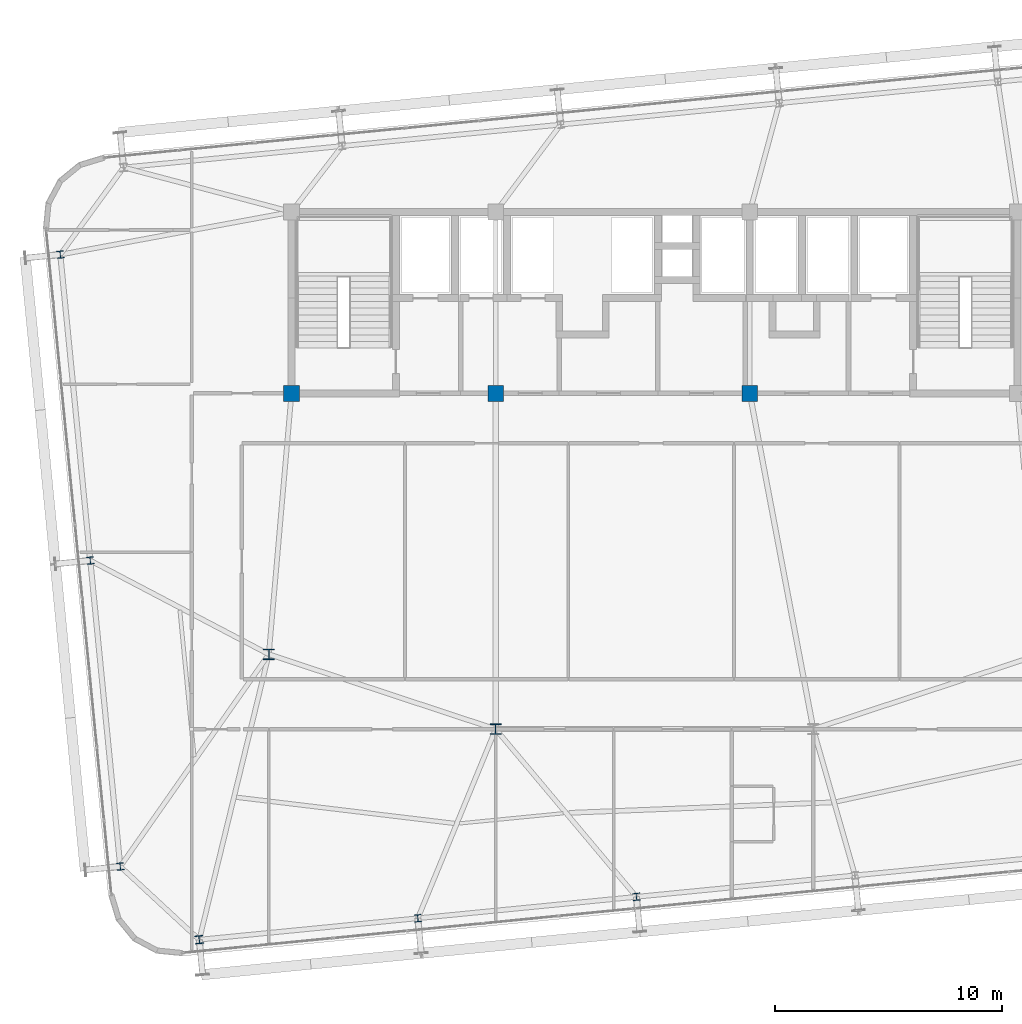
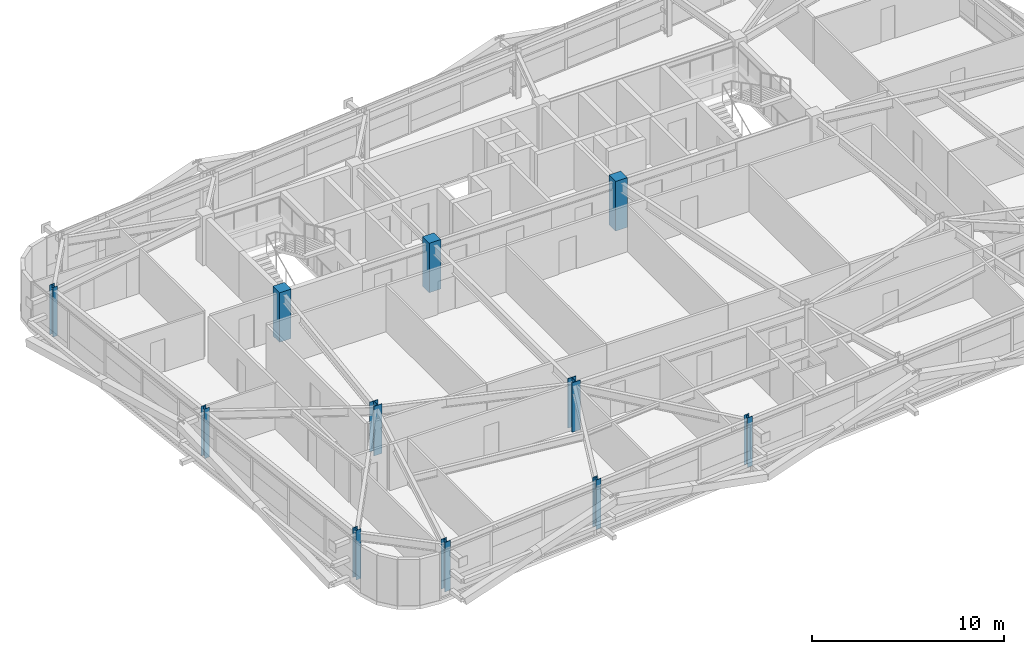
# One storey, part 1 of 52: 11 columns.
"""IFC4 building model written with IfcOpenShell, lengths in metres."""

import ifcopenshell
import ifcopenshell.guid

model = None  # the IFC model being written
_history = None  # IfcOwnerHistory: only IFC2X3 demands one
_inside = {}  # id of a spatial element -> (the spatial element, [elements in it])
_under = {}  # id of a project, library or spatial element -> (it, [spatial elements below it])
_declared = {}  # id of a project -> (the project, [libraries it declares])
_typed = {}  # id of a type object -> (the type object, [elements of that type])
_made_of = {}  # id of a material, layer set ... -> (it, [elements and type objects made of it])


def new_model(schema):
    """Start an empty IFC model of exactly this schema.

    Asked for "IFC4X3", IfcOpenShell would pick the latest addendum, in which some entities
    have other attributes; the version numbers below select the first issue.
    IFC2X3 requires an IfcOwnerHistory on every rooted entity: one is made here for all.
    """
    global model, _history
    if schema == "IFC4X3":
        model = ifcopenshell.file(schema_version=(4, 3, 0, 0))
    else:
        model = ifcopenshell.file(schema=schema)
    _inside.clear()
    _under.clear()
    _declared.clear()
    _typed.clear()
    _made_of.clear()
    _history = None
    if model.schema == "IFC2X3":
        org = make("IfcOrganization", Name="unknown")
        user = make(
            "IfcPersonAndOrganization",
            ThePerson=make("IfcPerson", FamilyName="unknown"),
            TheOrganization=org,
        )
        app = make(
            "IfcApplication",
            ApplicationDeveloper=org,
            Version="unknown",
            ApplicationFullName="unknown",
            ApplicationIdentifier="unknown",
        )
        _history = make(
            "IfcOwnerHistory",
            OwningUser=user,
            OwningApplication=app,
            ChangeAction="ADDED",
            CreationDate=0,
        )
    return model


def make(cls, **values):
    """One entity of the class cls with the attributes given. An attribute that is None is left unset."""
    return model.create_entity(
        cls, **{name: value for name, value in values.items() if value is not None}
    )


def rooted(cls, **values):
    """An entity with a GlobalId (a new one), such as an element, a storey or a relation."""
    return make(cls, GlobalId=ifcopenshell.guid.new(), OwnerHistory=_history, **values)


def si_unit(unit_type, name, prefix=None):
    """IfcSIUnit, for example si_unit("LENGTHUNIT", "METRE", prefix="MILLI")."""
    return make("IfcSIUnit", UnitType=unit_type, Prefix=prefix, Name=name)


def assignment(units):
    """IfcUnitAssignment: the units of a project."""
    return None if units is None else make("IfcUnitAssignment", Units=units)


def point(xyz):
    """IfcCartesianPoint."""
    return None if xyz is None else make("IfcCartesianPoint", Coordinates=xyz)


def direction(xyz):
    """IfcDirection."""
    return None if xyz is None else make("IfcDirection", DirectionRatios=xyz)


def frame(location, z_axis=None, x_axis=None):
    """IfcAxis2Placement3D, a coordinate frame: its origin and axes. An axis left out is left unset."""
    return make(
        "IfcAxis2Placement3D",
        Location=point(location),
        Axis=direction(z_axis),
        RefDirection=direction(x_axis),
    )


def frame_2d(location, x_axis=None):
    """IfcAxis2Placement2D, a coordinate frame in the plane: its origin and x axis."""
    return make(
        "IfcAxis2Placement2D", Location=point(location), RefDirection=direction(x_axis)
    )


def origin():
    """The frame at (0, 0, 0) with its axes left unset."""
    return frame((0.0, 0.0, 0.0))


def origin_2d():
    """The frame at (0, 0) in the plane with its x axis left unset."""
    return frame_2d((0.0, 0.0))


def place(relative_to, where):
    """IfcLocalPlacement: puts the frame where relative to a parent placement (None: the world)."""
    return make(
        "IfcLocalPlacement", PlacementRelTo=relative_to, RelativePlacement=where
    )


def context(
    kind, dimensions, precision=None, world=None, true_north=None, identifier=None
):
    """IfcGeometricRepresentationContext, for example the 3D "Model" context."""
    return make(
        "IfcGeometricRepresentationContext",
        ContextIdentifier=identifier,
        ContextType=kind,
        CoordinateSpaceDimension=dimensions,
        Precision=precision,
        WorldCoordinateSystem=world,
        TrueNorth=true_north,
    )


def subcontext(parent, identifier, kind, view, scale=None):
    """IfcGeometricRepresentationSubContext, for example "Body" below "Model"."""
    return make(
        "IfcGeometricRepresentationSubContext",
        ContextIdentifier=identifier,
        ContextType=kind,
        ParentContext=parent,
        TargetScale=scale,
        TargetView=view,
    )


def project(units=None, contexts=None):
    """IfcProject with its units and contexts."""
    return rooted(
        "IfcProject",
        Name="project",
        RepresentationContexts=contexts,
        UnitsInContext=assignment(units),
    )


def spatial(cls, under=None, at=None, **own):
    """A site, building, storey or space (cls), placed at a placement, below another one or the project."""
    s = rooted(cls, ObjectPlacement=at, **own)
    if under is not None:
        _under.setdefault(under.id(), (under, []))[1].append(s)
    return s


def profile(cls, at=None, kind="AREA", **sizes):
    """A parametric profile (cls). Its sizes go by their IFC names, for example OverallWidth=200.0."""
    return make(cls, ProfileType=kind, Position=at, **sizes)


def rectangle(**sizes):
    """IfcRectangleProfileDef."""
    return profile("IfcRectangleProfileDef", **sizes)


def i_section(**sizes):
    """IfcIShapeProfileDef."""
    return profile("IfcIShapeProfileDef", **sizes)


def extrude(swept, where, along, depth):
    """IfcExtrudedAreaSolid: the profile swept, set in the frame where, extruded along a direction by depth."""
    return make(
        "IfcExtrudedAreaSolid",
        SweptArea=swept,
        Position=where,
        ExtrudedDirection=direction(along),
        Depth=depth,
    )


def shape(context_of_items, identifier, shape_type, items):
    """IfcShapeRepresentation: the items that make up one representation, for example the "Body"."""
    return make(
        "IfcShapeRepresentation",
        ContextOfItems=context_of_items,
        RepresentationIdentifier=identifier,
        RepresentationType=shape_type,
        Items=items,
    )


def source(mapping_origin, context_of_items, identifier, shape_type, items):
    """IfcRepresentationMap: a shape defined once, which mapped items show again and again."""
    return make(
        "IfcRepresentationMap",
        MappingOrigin=mapping_origin,
        MappedRepresentation=shape(context_of_items, identifier, shape_type, items),
    )


def transform(
    local_origin,
    x_axis=None,
    y_axis=None,
    z_axis=None,
    scale=None,
    scale2=None,
    scale3=None,
    uniform=True,
):
    """IfcCartesianTransformationOperator3D, or its non-uniform kind. x_axis, y_axis, z_axis: its Axis1, 2, 3."""
    if uniform:
        return make(
            "IfcCartesianTransformationOperator3D",
            Axis1=direction(x_axis),
            Axis2=direction(y_axis),
            LocalOrigin=point(local_origin),
            Scale=scale,
            Axis3=direction(z_axis),
        )
    return make(
        "IfcCartesianTransformationOperator3DnonUniform",
        Axis1=direction(x_axis),
        Axis2=direction(y_axis),
        LocalOrigin=point(local_origin),
        Scale=scale,
        Axis3=direction(z_axis),
        Scale2=scale2,
        Scale3=scale3,
    )


def mapped(mapping_source, mapping_target):
    """IfcMappedItem: shows the shape of a source again, moved by a transform."""
    return make(
        "IfcMappedItem", MappingSource=mapping_source, MappingTarget=mapping_target
    )


def material(Name=None, Category=None):
    """IfcMaterial."""
    return make("IfcMaterial", Name=Name, Category=Category)


def material_profile(
    of_material, cross_section, Name=None, Category=None, Priority=None
):
    """IfcMaterialProfile: a cross section and its material."""
    return make(
        "IfcMaterialProfile",
        Name=Name,
        Material=of_material,
        Profile=cross_section,
        Priority=Priority,
        Category=Category,
    )


def profile_set(profiles, Name=None, composite=None):
    """IfcMaterialProfileSet."""
    return make(
        "IfcMaterialProfileSet",
        Name=Name,
        MaterialProfiles=profiles,
        CompositeProfile=composite,
    )


def made_of(thing, what):
    """Note that an element or type object is made of a material, layer set ...; save() writes the relation."""
    if what is not None:
        _made_of.setdefault(what.id(), (what, []))[1].append(thing)
    return thing


def type_object(cls, material=None, **own):
    """A type object (cls), such as IfcWallType, which elements share."""
    return made_of(rooted(cls, **own), material)


def element(
    cls,
    number,
    at=None,
    inside=None,
    cuts=None,
    type_object=None,
    material=None,
    context=None,
    identifier="Body",
    shape_type=None,
    held_by="IfcProductDefinitionShape",
    body=None,
    shapes=None,
    **own,
):
    """One element of the class cls, such as IfcWall. Its Tag is "e" and its number.

    at: its placement. inside: the storey or other place that contains it. cuts: it is an
    opening in that element (IfcRelVoidsElement). A single representation is given by context,
    identifier, shape_type and body (its items); several are given by shapes. held_by: the class
    of the entity that holds the representations. save() writes the other relations.
    """
    e = rooted(cls, Tag="e%d" % number, ObjectPlacement=at, **own)
    if body is not None:
        shapes = [shape(context, identifier, shape_type, body)]
    if shapes is not None:
        e.Representation = make(held_by, Representations=shapes)
    if inside is not None:
        _inside.setdefault(inside.id(), (inside, []))[1].append(e)
    if cuts is not None:
        rooted(
            "IfcRelVoidsElement", RelatingBuildingElement=cuts, RelatedOpeningElement=e
        )
    if type_object is not None:
        _typed.setdefault(type_object.id(), (type_object, []))[1].append(e)
    return made_of(e, material)


def aggregate(whole, parts):
    """IfcRelAggregates: a whole, such as a stair, and the parts it consists of."""
    return rooted("IfcRelAggregates", RelatingObject=whole, RelatedObjects=parts)


def save(model, path):
    """Write the relations noted so far, then the file.

    IfcRelAggregates (storeys below a building ...), IfcRelContainedInSpatialStructure (elements
    in a storey), IfcRelDefinesByType, IfcRelAssociatesMaterial and IfcRelDeclares: one each for
    every whole, place, type object, material and project.
    """
    for whole, parts in _under.values():
        aggregate(whole, parts)
    for where, things in _inside.values():
        rooted(
            "IfcRelContainedInSpatialStructure",
            RelatedElements=things,
            RelatingStructure=where,
        )
    for kind, things in _typed.values():
        rooted("IfcRelDefinesByType", RelatedObjects=things, RelatingType=kind)
    for what, things in _made_of.values():
        rooted("IfcRelAssociatesMaterial", RelatedObjects=things, RelatingMaterial=what)
    for by, libraries in _declared.values():
        rooted("IfcRelDeclares", RelatingContext=by, RelatedDefinitions=libraries)
    model.write(path)


model = new_model("IFC4")

# Units and contexts
model_context = context("Model", 3, precision=1e-05, world=origin(), true_north=direction((0.0, 1.0)))
body_context = subcontext(model_context, "Body", "Model", "MODEL_VIEW")
ifc_project = project(units=[si_unit("LENGTHUNIT", "METRE"), si_unit("AREAUNIT", "SQUARE_METRE"), si_unit("VOLUMEUNIT", "CUBIC_METRE"), si_unit("PLANEANGLEUNIT", "RADIAN"), si_unit("MASSUNIT", "GRAM", prefix="KILO")], contexts=[model_context])

# Site, building, storey
site_placement = place(None, origin())
site = spatial("IfcSite", under=ifc_project, at=site_placement, CompositionType="ELEMENT")
building_placement = place(site_placement, origin())
building = spatial("IfcBuilding", under=site, at=building_placement, Name="Taldren Reach Tower", CompositionType="ELEMENT")
storey_placement = place(building_placement, frame((0.0, 0.0, 93.449951171875)))
storey = spatial("IfcBuildingStorey", under=building, at=storey_placement, Name="L28", CompositionType="ELEMENT", Elevation=93.449951171875)

# Columns
ifc_material_1 = material(Name="Steel Gr 350 (350PLUS)", Category="steel")
ifc_material_profile_1 = material_profile(ifc_material_1, i_section(OverallWidth=0.5, OverallDepth=0.464111328125, WebThickness=0.02197265625, FlangeThickness=0.033935546875, at=origin_2d()), Name="500WC340")
ifc_profile_set_1 = profile_set([ifc_material_profile_1], Name="Steel Gr 350 (350PLUS)")
column_type_1 = type_object("IfcColumnType", Name="COL-WC500B", PredefinedType="COLUMN", material=ifc_profile_set_1)
shared_shape_1 = source(origin(), body_context, "Body", "SweptSolid", [
    extrude(i_section(OverallWidth=0.5, OverallDepth=0.464111328125, WebThickness=0.02197265625, FlangeThickness=0.033935546875, at=origin_2d()), origin(), (0.0, 0.0, 1.0), 3.150146484375),
])
for number, where, z_axis, x_axis, name in (
    (1, (28.0, 9.199951171875, 0.0), (0.0, 0.0, 1.0), (1.0, 0.0, 0.0), "Mega column MC-PJW L28"),
    (2, (18.0, 12.5, 0.0), (0.0, 0.0, 1.0), (1.0, 0.0, 0.0), "Mega column MC-SW L28"),
):
    element("IfcColumn", number, at=place(storey_placement, frame(where, z_axis=z_axis, x_axis=x_axis)), inside=storey, type_object=column_type_1, Name=name, PredefinedType="COLUMN", context=body_context, shape_type="MappedRepresentation", body=[
        mapped(shared_shape_1, transform((0.0, 0.0, 0.0), scale=1.0)),
    ])
ifc_material_2 = material(Name="Concrete S65 (65 MPa)", Category="concrete")
ifc_material_profile_2 = material_profile(ifc_material_2, rectangle(XDim=0.699951171875, YDim=0.699951171875, at=origin_2d()), Name="RC-700x700")
ifc_profile_set_2 = profile_set([ifc_material_profile_2], Name="Concrete S65 (65 MPa)")
column_type_2 = type_object("IfcColumnType", Name="COL-RC700", PredefinedType="COLUMN", material=ifc_profile_set_2)
shared_shape_2 = source(origin(), body_context, "Body", "SweptSolid", [
    extrude(rectangle(XDim=0.699951171875, YDim=0.699951171875, at=origin_2d()), origin(), (0.0, 0.0, 1.0), 3.150146484375),
])
for number, where, z_axis, x_axis, name in (
    (3, (19.0, 24.0, 0.0), (0.0, 0.0, 1.0), (1.0, 0.0, 0.0), "Mega column MC-C1 L28"),
    (4, (28.0, 24.0, 0.0), (0.0, 0.0, 1.0), (1.0, 0.0, 0.0), "Mega column MC-C2 L28"),
    (5, (39.199951171875, 24.0, 0.0), (0.0, 0.0, 1.0), (1.0, 0.0, 0.0), "Mega column MC-C3 L28"),
):
    element("IfcColumn", number, at=place(storey_placement, frame(where, z_axis=z_axis, x_axis=x_axis)), inside=storey, type_object=column_type_2, Name=name, PredefinedType="COLUMN", context=body_context, shape_type="MappedRepresentation", body=[
        mapped(shared_shape_2, transform((0.0, 0.0, 0.0), scale=1.0)),
    ])
ifc_material_profile_3 = material_profile(ifc_material_1, i_section(OverallWidth=0.35009765625, OverallDepth=0.35595703125, WebThickness=0.01806640625, FlangeThickness=0.028076171875, at=origin_2d()), Name="350WC197")
ifc_profile_set_3 = profile_set([ifc_material_profile_3], Name="Steel Gr 350 (350PLUS)")
column_type_3 = type_object("IfcColumnType", Name="COL-WC350", PredefinedType="COLUMN", material=ifc_profile_set_3)
shared_shape_3 = source(origin(), body_context, "Body", "SweptSolid", [
    extrude(i_section(OverallWidth=0.35009765625, OverallDepth=0.35595703125, WebThickness=0.01806640625, FlangeThickness=0.028076171875, at=origin_2d()), origin(), (0.0, 0.0, 1.0), 3.150146484375),
])
column_placement = place(storey_placement, frame((14.93408203125, -0.079833984375, 0.0), z_axis=(0.0, 0.0, 1.0), x_axis=(0.995227399982, 0.097582899759, 0.0)))
element("IfcColumn", 6, at=column_placement, inside=storey, type_object=column_type_3, Name="Block B2 perimeter column S1 L28", PredefinedType="COLUMN", context=body_context, shape_type="MappedRepresentation", body=[
    mapped(shared_shape_3, transform((0.0, 0.0, 0.0), scale=1.0)),
])
ifc_material_profile_4 = material_profile(ifc_material_1, i_section(OverallWidth=0.306884765625, OverallDepth=0.31494140625, WebThickness=0.011962890625, FlangeThickness=0.018798828125, at=origin_2d()), Name="310UC118")
ifc_profile_set_4 = profile_set([ifc_material_profile_4], Name="Steel Gr 350 (350PLUS)")
column_type_4 = type_object("IfcColumnType", Name="COL-UC310B", PredefinedType="COLUMN", material=ifc_profile_set_4)
shared_shape_4 = source(origin(), body_context, "Body", "SweptSolid", [
    extrude(i_section(OverallWidth=0.306884765625, OverallDepth=0.31494140625, WebThickness=0.011962890625, FlangeThickness=0.018798828125, at=origin_2d()), origin(), (0.0, 0.0, 1.0), 3.150146484375),
])
for number, where, z_axis, x_axis, name in (
    (7, (24.56787109375, 0.86474609375, 0.0), (0.0, 0.0, 1.0), (0.995227399982, 0.097582899759, 0.0), "Block B2 perimeter column S2 L28"),
    (8, (34.20166015625, 1.809326171875, 0.0), (0.0, 0.0, 1.0), (0.995227399982, 0.097582899759, 0.0), "Block B2 perimeter column S3 L28"),
    (9, (11.452880859375, 3.145751953125, 0.0), (0.0, 0.0, 1.0), (0.995227399982, 0.097582899759, 0.0), "Block B2 perimeter column W1 L28"),
    (10, (10.130615234375, 16.631103515625, 0.0), (0.0, 0.0, 1.0), (0.995227399982, 0.097582899759, 0.0), "Block B2 perimeter column W2 L28"),
    (11, (8.808349609375, 30.116455078125, 0.0), (0.0, 0.0, 1.0), (0.995227399982, 0.097582899759, 0.0), "Block B2 perimeter column W3 L28"),
):
    element("IfcColumn", number, at=place(storey_placement, frame(where, z_axis=z_axis, x_axis=x_axis)), inside=storey, type_object=column_type_4, Name=name, PredefinedType="COLUMN", context=body_context, shape_type="MappedRepresentation", body=[
        mapped(shared_shape_4, transform((0.0, 0.0, 0.0), scale=1.0)),
    ])

save(model, "model.ifc")
